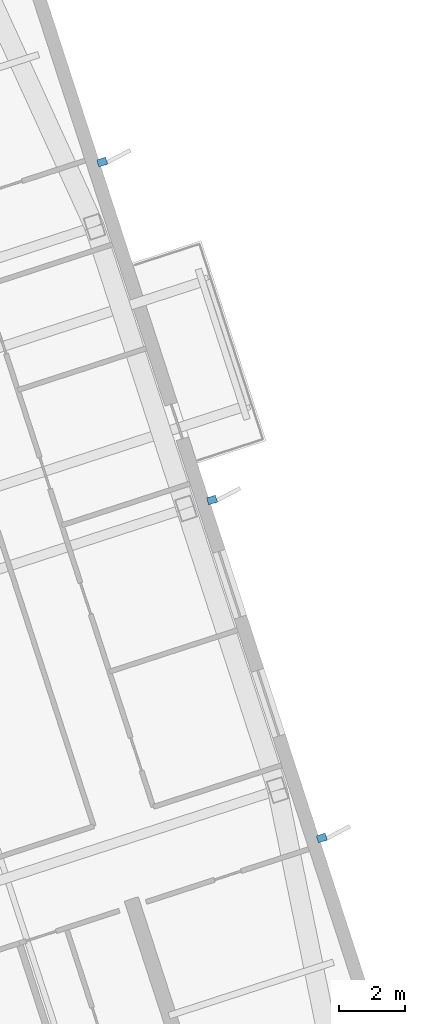
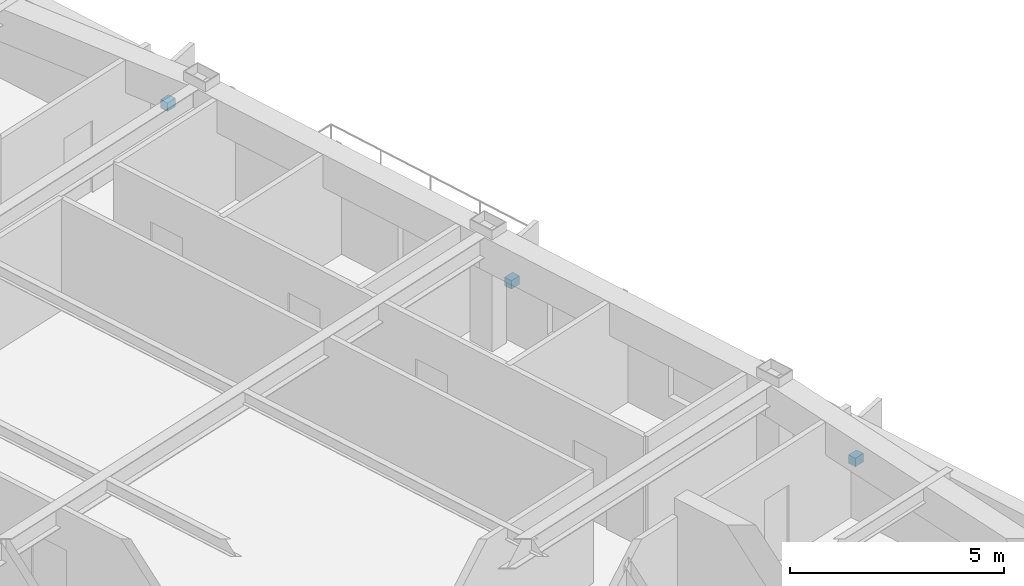
# One storey, part 12 of 17: 3 discrete accessories.
"""IFC4 building model written with IfcOpenShell, lengths in metres."""

from ifc_helpers import new_model, si_unit, direction, frame, origin, origin_2d, place, context, subcontext, project, spatial, rectangle, extrude, material, type_object, element, save


model = new_model("IFC4")

# Units and contexts
model_context = context("Model", 3, precision=1e-05, world=origin(), true_north=direction((0.0, 1.0)))
body_context = subcontext(model_context, "Body", "Model", "MODEL_VIEW")
ifc_project = project(units=[si_unit("LENGTHUNIT", "METRE"), si_unit("AREAUNIT", "SQUARE_METRE"), si_unit("VOLUMEUNIT", "CUBIC_METRE"), si_unit("PLANEANGLEUNIT", "RADIAN"), si_unit("MASSUNIT", "GRAM", prefix="KILO")], contexts=[model_context])

# Site, building, storey
site_placement = place(None, origin())
site = spatial("IfcSite", under=ifc_project, at=site_placement, CompositionType="ELEMENT")
building_placement = place(site_placement, origin())
building = spatial("IfcBuilding", under=site, at=building_placement, Name="Qiaolan Cultural Towers", CompositionType="ELEMENT")
storey_placement = place(building_placement, frame((0.0, 0.0, 205.85009765625)))
storey = spatial("IfcBuildingStorey", under=building, at=storey_placement, Name="L55", CompositionType="ELEMENT", Elevation=205.85009765625)

# Discrete accessories
ifc_material = material(Name="Stainless Steel S31608 Facade Anchor Bracket", Category="steel")
discrete_accessory_type = type_object("IfcDiscreteAccessoryType", Name="ACC-BRK-SS", PredefinedType="BRACKET", material=ifc_material)
for number, where, z_axis, x_axis, name in (
    (1, (106.91845703125, 28.141357421875, 1.18505859375), (0.0, 0.0, 1.0), (0.951056516295, 0.309016994375, 0.0), "L55 T2 Facade Fin Anchor Bracket E1"),
    (2, (103.5810546875, 38.412841796875, 1.18505859375), (0.0, 0.0, 1.0), (0.951056516295, 0.309016994375, 0.0), "L55 T2 Facade Fin Anchor Bracket E2"),
    (3, (100.24365234375, 48.68408203125, 1.18505859375), (0.0, 0.0, 1.0), (0.951056516295, 0.309016994375, 0.0), "L55 T2 Facade Fin Anchor Bracket E3"),
):
    element("IfcDiscreteAccessory", number, at=place(storey_placement, frame(where, z_axis=z_axis, x_axis=x_axis)), inside=storey, type_object=discrete_accessory_type, Name=name, PredefinedType="BRACKET", context=body_context, shape_type="SweptSolid", body=[
        extrude(rectangle(XDim=0.280029296875, YDim=0.219970703125, at=origin_2d()), origin(), (0.0, 0.0, 1.0), 0.239990234375),
    ])

save(model, "model.ifc")
